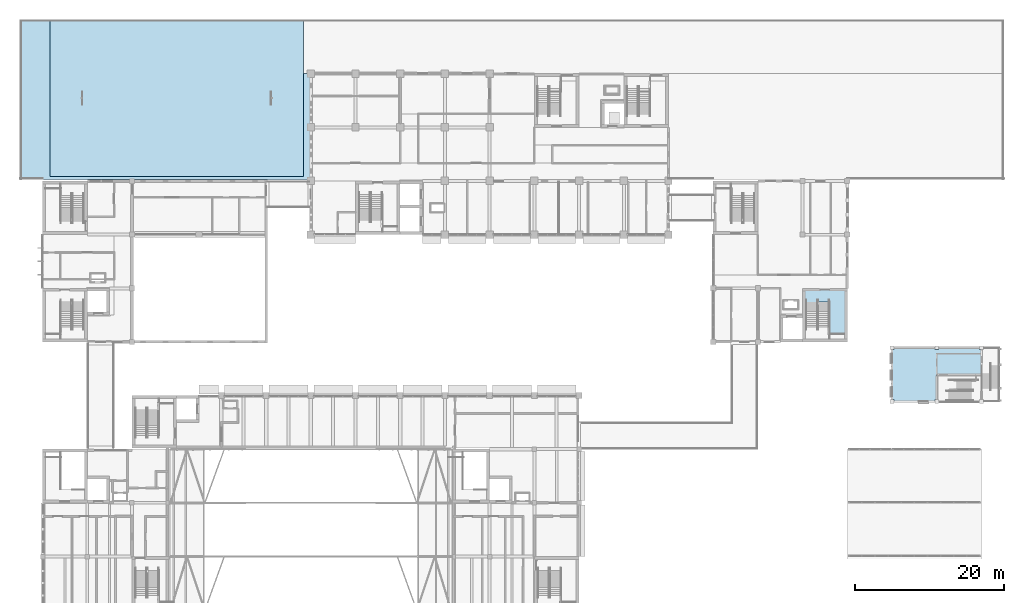
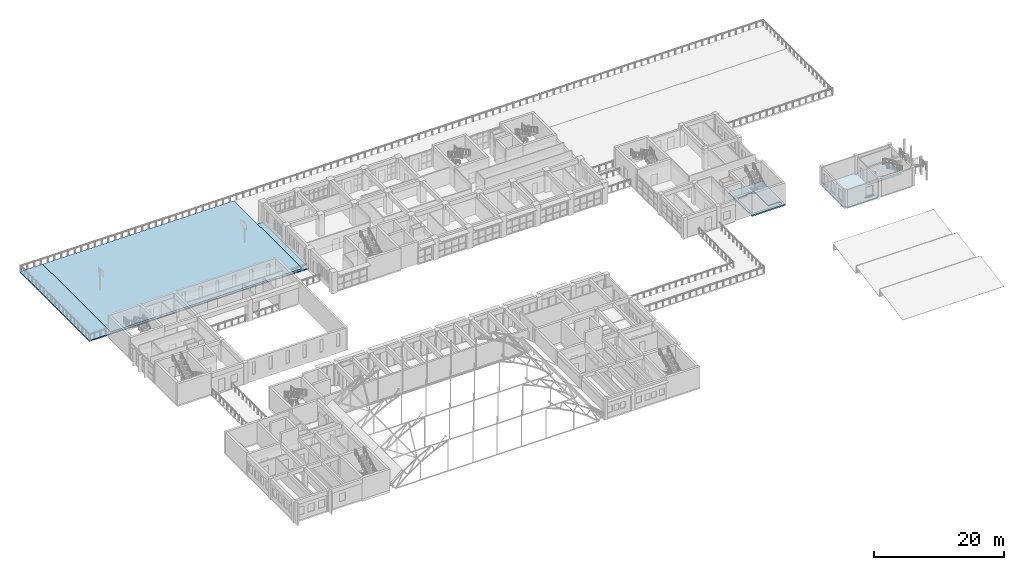
# One storey, part 64 of 101: 4 slabs, 1 element without a shape of its own.
"""IFC4 building model written with IfcOpenShell, lengths in metres."""

from ifc_helpers import new_model, si_unit, direction, frame, origin, place, context, subcontext, project, spatial, polyline, outline, extrude, material, layer, layer_set, type_object, element, aggregate, save


model = new_model("IFC4")

# Units and contexts
model_context = context("Model", 3, precision=1e-05, world=origin(), true_north=direction((0.0, 1.0)))
body_context = subcontext(model_context, "Body", "Model", "MODEL_VIEW")
ifc_project = project(units=[si_unit("LENGTHUNIT", "METRE"), si_unit("AREAUNIT", "SQUARE_METRE"), si_unit("VOLUMEUNIT", "CUBIC_METRE"), si_unit("PLANEANGLEUNIT", "RADIAN"), si_unit("MASSUNIT", "GRAM", prefix="KILO")], contexts=[model_context])

# Site, building, storey
site_placement = place(None, origin())
site = spatial("IfcSite", under=ifc_project, at=site_placement, CompositionType="ELEMENT")
building_placement = place(site_placement, origin())
building = spatial("IfcBuilding", under=site, at=building_placement, Name="Laocheng Heights Fire and Rescue Headquarters", CompositionType="ELEMENT")
storey_placement = place(building_placement, frame((0.0, 0.0, 8.39990234375)))
storey = spatial("IfcBuildingStorey", under=building, at=storey_placement, Name="L02", CompositionType="ELEMENT", Elevation=8.39990234375)

# Slabs
ifc_material_1 = material(Name="Concrete C40", Category="concrete")
ifc_layer_1 = layer(ifc_material_1, 0.199951171875)
ifc_layer_set_1 = layer_set([ifc_layer_1], Name="Concrete C40")
slab_type_1 = type_object("IfcSlabType", Name="RC FLOOR SLAB 200 DRILL TOWER", PredefinedType="FLOOR", material=ifc_layer_set_1)
slab_1_placement = place(storey_placement, frame((0.0, 0.0, 1.900146484375)))
element("IfcSlab", 1, at=slab_1_placement, inside=storey, type_object=slab_type_1, Name="Drill tower floor F4", PredefinedType="FLOOR", context=body_context, shape_type="SweptSolid", body=[
    extrude(outline(polyline([(126.0, 31.60009765625), (126.0, 34.949951171875), (125.75, 34.949951171875), (125.75, 35.324951171875), (120.25, 35.324951171875), (120.25, 34.949951171875), (119.75, 34.949951171875), (119.75, 35.324951171875), (114.25, 35.324951171875), (114.25, 34.949951171875), (113.875, 34.949951171875), (113.875, 28.25), (114.25, 28.25), (114.25, 27.875), (119.75, 27.875), (119.75, 28.25), (120.0, 28.25), (120.0, 31.60009765625), (126.0, 31.60009765625)])), origin(), (0.0, 0.0, 1.0), 0.199951171875),
])
ifc_material_2 = material(Name="Concrete C35", Category="concrete")
ifc_layer_2 = layer(ifc_material_2, 0.199951171875)
ifc_layer_set_2 = layer_set([ifc_layer_2], Name="Concrete C35")
slab_type_2 = type_object("IfcSlabType", Name="RC PAVING SLAB ON FILL 200 BASKETBALL COURT PAVING", PredefinedType="BASESLAB", material=ifc_layer_set_2)
slab_2_placement = place(storey_placement, frame((0.0, 0.0, -0.199951171875)))
element("IfcSlab", 2, at=slab_2_placement, inside=storey, type_object=slab_type_2, Name="Site slab SL11 Basketball Court Paving", PredefinedType="BASESLAB", context=body_context, shape_type="SweptSolid", body=[
    extrude(outline(polyline([(1.0, 58.199951171875), (35.0, 58.199951171875), (35.0, 79.199951171875), (1.0, 79.199951171875), (1.0, 58.199951171875)])), origin(), (0.0, 0.0, 1.0), 0.199951171875),
])
ifc_material_3 = material(Name="Concrete C35", Category="concrete")
ifc_layer_3 = layer(ifc_material_3, 0.199951171875)
ifc_layer_set_3 = layer_set([ifc_layer_3], Name="Concrete C35")
slab_type_3 = type_object("IfcSlabType", Name="RC PAVING SLAB ON FILL 200 NORTH-WEST GARDEN PAVING", PredefinedType="BASESLAB", material=ifc_layer_set_3)
slab_3_placement = place(storey_placement, frame((0.0, 0.0, -0.199951171875)))
element("IfcSlab", 3, at=slab_3_placement, inside=storey, type_object=slab_type_3, Name="Site slab SL8 North-West Garden Paving", PredefinedType="BASESLAB", context=body_context, shape_type="SweptSolid", body=[
    extrude(outline(polyline([(-3.0, 57.824951171875), (36.0, 57.824951171875), (36.0, 72.0), (35.0, 72.0), (35.0, 58.199951171875), (1.0, 58.199951171875), (1.0, 79.199951171875), (-3.0, 79.199951171875), (-3.0, 57.824951171875)])), origin(), (0.0, 0.0, 1.0), 0.199951171875),
])

# Stair, slab
ifc_material_4 = material(Name="Concrete C40", Category="concrete")
stair_type = type_object("IfcStairType", Name="RC STAIR 1400 TWO FLIGHTS 28 RISERS OF 150 GOING 260", PredefinedType="HALF_TURN_STAIR", material=ifc_material_4)
stair_placement = place(storey_placement, origin())
stair = element("IfcStair", 4, at=stair_placement, inside=storey, type_object=stair_type, Name="Stair C1 (L02 to L03)", PredefinedType="HALF_TURN_STAIR")
ifc_material_5 = material(Name="Concrete C40", Category="concrete")
ifc_layer_4 = layer(ifc_material_5, 0.25)
ifc_layer_set_4 = layer_set([ifc_layer_4], Name="Concrete C40")
slab_type_4 = type_object("IfcSlabType", Name="STAIR FLOOR LANDING 250", PredefinedType="LANDING", material=ifc_layer_set_4)
slab_4_placement = place(storey_placement, frame((0.0, 0.0, -0.25)))
slab_4 = element("IfcSlab", 5, at=slab_4_placement, type_object=slab_type_4, Name="Stair C1 floor landing L02", PredefinedType="LANDING", context=body_context, shape_type="SweptSolid", body=[
    extrude(outline(polyline([(102.0, 43.199951171875), (108.0, 43.199951171875), (108.0, 36.0), (102.0, 36.0), (102.0, 43.199951171875)]), holes=[polyline([(105.52490234375, 36.39990234375), (107.60009765625, 36.39990234375), (107.60009765625, 37.0), (107.550048828125, 37.0), (107.550048828125, 37.050048828125), (105.52490234375, 37.050048828125), (105.52490234375, 38.270263671875), (105.52490234375, 41.346923828125), (104.125, 41.346923828125), (104.125, 41.0498046875), (102.39990234375, 41.0498046875), (102.39990234375, 37.972900390625), (102.39990234375, 36.39990234375), (104.125, 36.39990234375), (105.52490234375, 36.39990234375)])]), origin(), (0.0, 0.0, 1.0), 0.25),
])
aggregate(stair, [slab_4])

save(model, "model.ifc")
